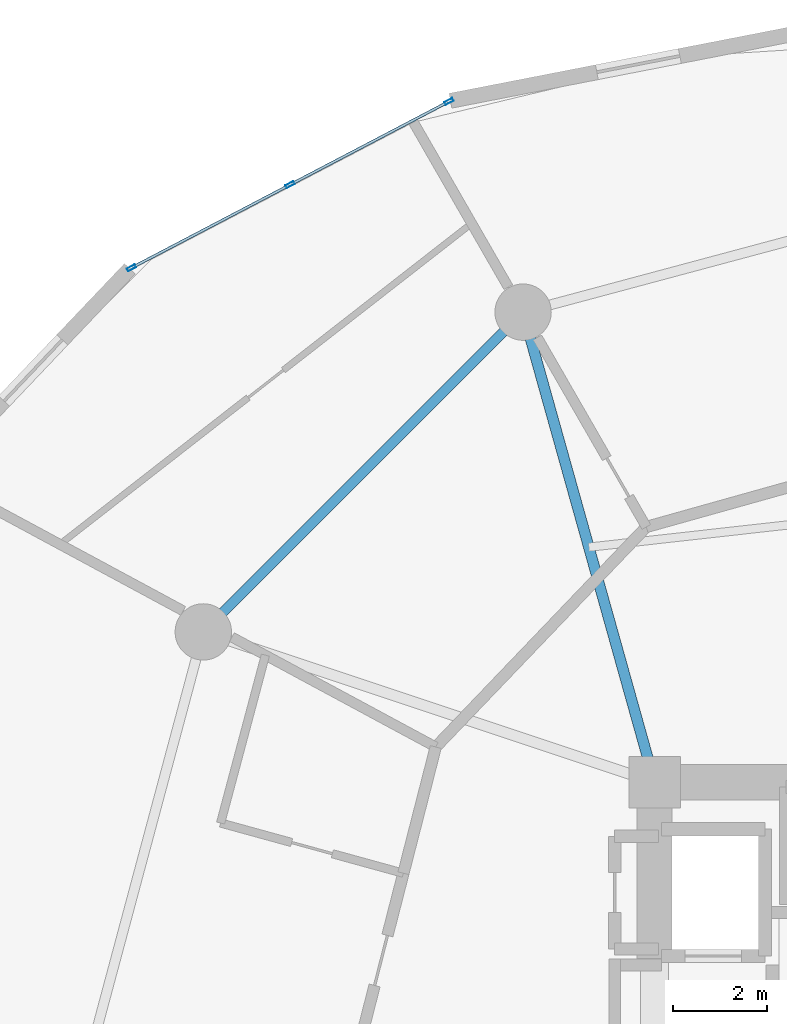
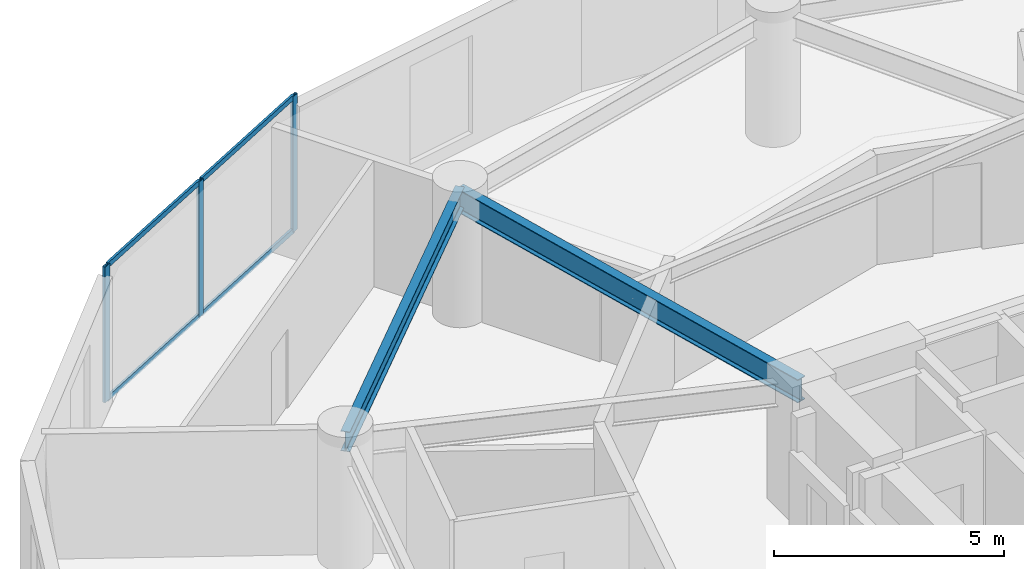
# One storey, part 11 of 20: 7 members, 2 beams, 1 element without a shape of its own.
"""IFC4 building model written with IfcOpenShell, lengths in metres."""

from ifc_helpers import new_model, si_unit, direction, frame, origin, origin_2d, place, context, subcontext, project, spatial, hollow_rectangle, i_section, extrude, source, transform, mapped, material, layer, layer_set, material_profile, profile_set, type_object, element, aggregate, save


model = new_model("IFC4")

# Units and contexts
model_context = context("Model", 3, precision=1e-05, world=origin(), true_north=direction((0.0, 1.0)))
body_context = subcontext(model_context, "Body", "Model", "MODEL_VIEW")
ifc_project = project(units=[si_unit("LENGTHUNIT", "METRE"), si_unit("AREAUNIT", "SQUARE_METRE"), si_unit("VOLUMEUNIT", "CUBIC_METRE"), si_unit("PLANEANGLEUNIT", "RADIAN"), si_unit("MASSUNIT", "GRAM", prefix="KILO")], contexts=[model_context])

# Site, building, storey
site_placement = place(None, origin())
site = spatial("IfcSite", under=ifc_project, at=site_placement, CompositionType="ELEMENT")
building_placement = place(site_placement, origin())
building = spatial("IfcBuilding", under=site, at=building_placement, Name="Solvirekh Grand Hotel", CompositionType="ELEMENT")
storey_placement = place(building_placement, frame((0.0, 0.0, 50.0)))
storey = spatial("IfcBuildingStorey", under=building, at=storey_placement, Name="L11", CompositionType="ELEMENT", Elevation=50.0)

# Beams
ifc_material_1 = material(Name="Steel S355", Category="steel")
ifc_material_profile_1 = material_profile(ifc_material_1, i_section(OverallWidth=0.22802734375, OverallDepth=0.616943359375, WebThickness=0.012939453125, FlangeThickness=0.02001953125, FilletRadius=0.014892578125, at=origin_2d()), Name="W610X140")
ifc_profile_set_1 = profile_set([ifc_material_profile_1], Name="Steel S355")
beam_type_1 = type_object("IfcBeamType", Name="Beam_Radial_W610", PredefinedType="BEAM", material=ifc_profile_set_1)
beam_1_placement = place(storey_placement, frame((-6.5, 6.10009765625, 3.031982421875), z_axis=(-0.269439084681, 0.963017434757, 0.0), x_axis=(-0.963017434757, -0.269439084681, 0.0)))
element("IfcBeam", 1, at=beam_1_placement, inside=storey, type_object=beam_type_1, Name="L11 radial floor beam R05", PredefinedType="BEAM", context=body_context, shape_type="SweptSolid", body=[
    extrude(i_section(OverallWidth=0.22802734375, OverallDepth=0.616943359375, WebThickness=0.012939453125, FlangeThickness=0.02001953125, FilletRadius=0.014892578125, at=origin_2d()), origin(), (0.0, 0.0, 1.0), 10.39208984375),
])
ifc_material_profile_2 = material_profile(ifc_material_1, i_section(OverallWidth=0.208984375, OverallDepth=0.532958984375, WebThickness=0.010009765625, FlangeThickness=0.014892578125, FilletRadius=0.013916015625, at=origin_2d()), Name="W530X92")
ifc_profile_set_2 = profile_set([ifc_material_profile_2], Name="Steel S355")
beam_type_2 = type_object("IfcBeamType", Name="Spandrel_Ring_W530", PredefinedType="SPANDREL", material=ifc_profile_set_2)
beam_2_placement = place(storey_placement, frame((-9.300048828125, 16.10791015625, 3.073974609375), z_axis=(-0.707106781187, -0.707106781187, 0.0), x_axis=(0.707106781187, -0.707106781187, 0.0)))
element("IfcBeam", 2, at=beam_2_placement, inside=storey, type_object=beam_type_2, Name="L11 perimeter spandrel beam 5", PredefinedType="SPANDREL", context=body_context, shape_type="SweptSolid", body=[
    extrude(i_section(OverallWidth=0.208984375, OverallDepth=0.532958984375, WebThickness=0.010009765625, FlangeThickness=0.014892578125, FilletRadius=0.013916015625, at=origin_2d()), origin(), (0.0, 0.0, 1.0), 9.627685546875),
])

# Curtain wall, members
ifc_material_2 = material(Name="Anodized Bronze Aluminium 6063-T6", Category="aluminium")
ifc_layer = layer(ifc_material_2, 0.18994140625)
ifc_layer_set = layer_set([ifc_layer], Name="Anodized Bronze Aluminium 6063-T6")
curtain_wall_type = type_object("IfcCurtainWallType", Name="CW_Sys2_LowZoneFlushBronzeCW", PredefinedType="NOTDEFINED", material=ifc_layer_set)
curtain_wall_placement = place(storey_placement, origin())
curtain_wall = element("IfcCurtainWall", 3, at=curtain_wall_placement, inside=storey, type_object=curtain_wall_type, Name="L11 unitised bronze-glass curtain wall CW-L11-C08", PredefinedType="NOTDEFINED")
ifc_material_profile_3 = material_profile(ifc_material_2, hollow_rectangle(XDim=0.070068359375, YDim=0.18994140625, WallThickness=0.0048828125, at=origin_2d()), Name="ALU RHS 190X70X5")
ifc_profile_set_3 = profile_set([ifc_material_profile_3], Name="Anodized Bronze Aluminium 6063-T6")
member_type_1 = type_object("IfcMemberType", Name="CWMullion_Sys2", PredefinedType="MULLION", material=ifc_profile_set_3)
shared_shape_1 = source(origin(), body_context, "Body", "SweptSolid", [
    extrude(hollow_rectangle(XDim=0.070068359375, YDim=0.18994140625, WallThickness=0.0048828125, at=origin_2d()), origin(), (0.0, 0.0, 1.0), 3.60009765625),
])
member_1_placement = place(storey_placement, frame((-10.876953125, 20.5927734375, 0.0), z_axis=(0.0, 0.0, 1.0), x_axis=(0.464108833066, -0.885778183898, 0.0)))
member_1 = element("IfcMember", 4, at=member_1_placement, type_object=member_type_1, Name="U02 mullion 1", PredefinedType="MULLION", context=body_context, shape_type="MappedRepresentation", body=[
    mapped(shared_shape_1, transform((0.0, 0.0, 0.0), x_axis=(1.0, 0.0, 0.0), y_axis=(0.0, 1.0, 0.0), z_axis=(0.0, 0.0, 1.0), scale=1.0)),
])
member_2_placement = place(storey_placement, frame((-14.258544921875, 18.821044921875, 0.0), z_axis=(0.0, 0.0, 1.0), x_axis=(0.464108833066, -0.885778183898, 0.0)))
member_2 = element("IfcMember", 5, at=member_2_placement, type_object=member_type_1, Name="U02 mullion 2", PredefinedType="MULLION", context=body_context, shape_type="MappedRepresentation", body=[
    mapped(shared_shape_1, transform((0.0, 0.0, 0.0), x_axis=(1.0, 0.0, 0.0), y_axis=(0.0, 1.0, 0.0), z_axis=(0.0, 0.0, 1.0), scale=1.0)),
])
member_3_placement = place(storey_placement, frame((-17.639892578125, 17.04931640625, 0.0), z_axis=(0.0, 0.0, 1.0), x_axis=(0.464108833066, -0.885778183898, 0.0)))
member_3 = element("IfcMember", 6, at=member_3_placement, type_object=member_type_1, Name="U02 mullion 3", PredefinedType="MULLION", context=body_context, shape_type="MappedRepresentation", body=[
    mapped(shared_shape_1, transform((0.0, 0.0, 0.0), x_axis=(1.0, 0.0, 0.0), y_axis=(0.0, 1.0, 0.0), z_axis=(0.0, 0.0, 1.0), scale=1.0)),
])
ifc_material_profile_4 = material_profile(ifc_material_2, hollow_rectangle(XDim=0.06005859375, YDim=0.135009765625, WallThickness=0.00390625, at=origin_2d()), Name="ALU RHS 135X60X4")
ifc_profile_set_4 = profile_set([ifc_material_profile_4], Name="Anodized Bronze Aluminium 6063-T6")
member_type_2 = type_object("IfcMemberType", Name="CWTransom_Sys2", PredefinedType="USERDEFINED", material=ifc_profile_set_4)
shared_shape_2 = source(origin(), body_context, "Body", "SweptSolid", [
    extrude(hollow_rectangle(XDim=0.06005859375, YDim=0.135009765625, WallThickness=0.00390625, at=origin_2d()), origin(), (0.0, 0.0, 1.0), 3.747314453125),
])
member_4_placement = place(storey_placement, frame((-14.28955078125, 18.8046875, 0.030029296875), z_axis=(-0.88577031966, -0.464123842105, 0.0), x_axis=(0.464123842105, -0.88577031966, 0.0)))
member_4 = element("IfcMember", 7, at=member_4_placement, type_object=member_type_2, Name="U02 transom 2.1", ObjectType="TRANSOM", PredefinedType="USERDEFINED", context=body_context, shape_type="MappedRepresentation", body=[
    mapped(shared_shape_2, transform((0.0, 0.0, 0.0), x_axis=(1.0, 0.0, 0.0), y_axis=(0.0, 1.0, 0.0), z_axis=(0.0, 0.0, 1.0), scale=1.0)),
])
member_5_placement = place(storey_placement, frame((-14.28955078125, 18.8046875, 3.570068359375), z_axis=(-0.88577031966, -0.464123842105, 0.0), x_axis=(0.464123842105, -0.88577031966, 0.0)))
member_5 = element("IfcMember", 8, at=member_5_placement, type_object=member_type_2, Name="U02 transom 2.2", ObjectType="TRANSOM", PredefinedType="USERDEFINED", context=body_context, shape_type="MappedRepresentation", body=[
    mapped(shared_shape_2, transform((0.0, 0.0, 0.0), x_axis=(1.0, 0.0, 0.0), y_axis=(0.0, 1.0, 0.0), z_axis=(0.0, 0.0, 1.0), scale=1.0)),
])
shared_shape_3 = source(origin(), body_context, "Body", "SweptSolid", [
    extrude(hollow_rectangle(XDim=0.06005859375, YDim=0.135009765625, WallThickness=0.00390625, at=origin_2d()), origin(), (0.0, 0.0, 1.0), 3.74755859375),
])
member_6_placement = place(storey_placement, frame((-10.907958984375, 20.576416015625, 0.030029296875), z_axis=(-0.885784352324, -0.464097060084, 0.0), x_axis=(0.464097060084, -0.885784352324, 0.0)))
member_6 = element("IfcMember", 9, at=member_6_placement, type_object=member_type_2, Name="U02 transom 1.1", ObjectType="TRANSOM", PredefinedType="USERDEFINED", context=body_context, shape_type="MappedRepresentation", body=[
    mapped(shared_shape_3, transform((0.0, 0.0, 0.0), x_axis=(1.0, 0.0, 0.0), y_axis=(0.0, 1.0, 0.0), z_axis=(0.0, 0.0, 1.0), scale=1.0)),
])
member_7_placement = place(storey_placement, frame((-10.907958984375, 20.576416015625, 3.570068359375), z_axis=(-0.885784352324, -0.464097060084, 0.0), x_axis=(0.464097060084, -0.885784352324, 0.0)))
member_7 = element("IfcMember", 10, at=member_7_placement, type_object=member_type_2, Name="U02 transom 1.2", ObjectType="TRANSOM", PredefinedType="USERDEFINED", context=body_context, shape_type="MappedRepresentation", body=[
    mapped(shared_shape_3, transform((0.0, 0.0, 0.0), x_axis=(1.0, 0.0, 0.0), y_axis=(0.0, 1.0, 0.0), z_axis=(0.0, 0.0, 1.0), scale=1.0)),
])
aggregate(curtain_wall, [member_1, member_2, member_3, member_6, member_7, member_4, member_5])

save(model, "model.ifc")
